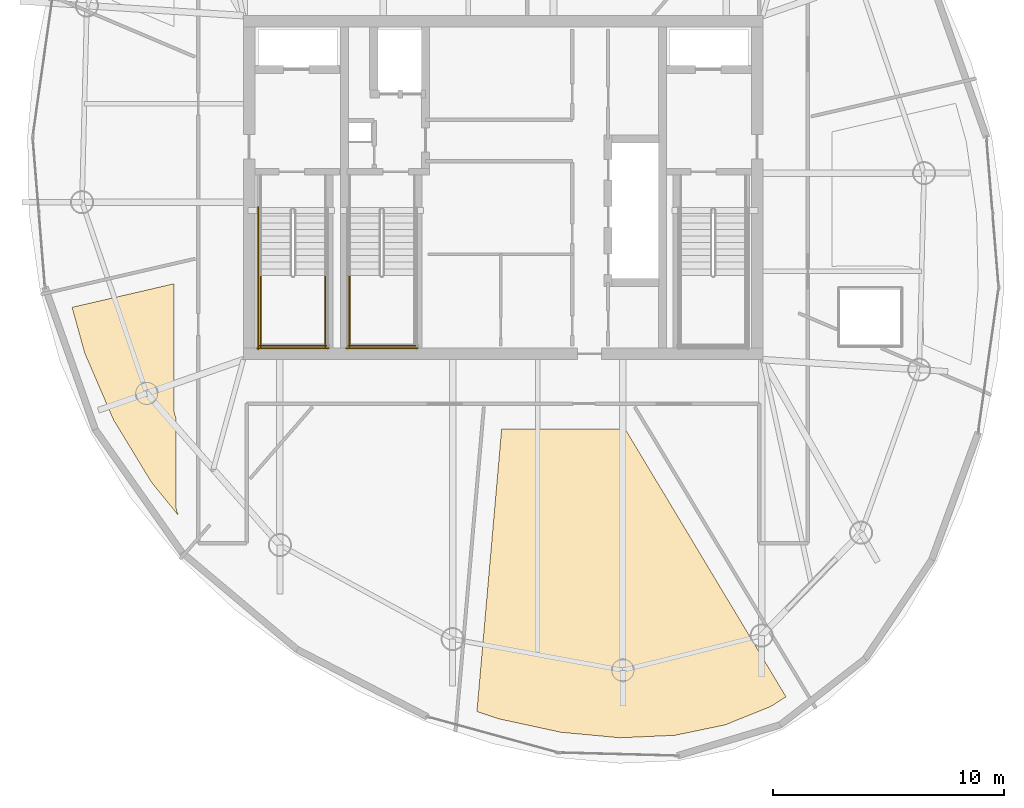
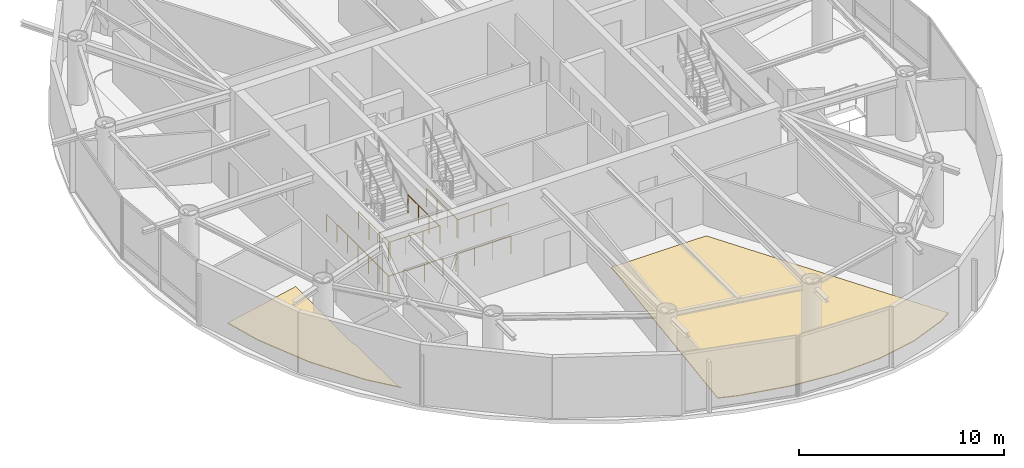
# One storey, part 18 of 20: 8 railings, 2 coverings.
"""IFC4 building model written with IfcOpenShell, lengths in metres."""

from ifc_helpers import new_model, si_unit, direction, frame, origin, origin_2d, place, context, subcontext, project, spatial, polyline, circle, outline, extrude, material, layer, layer_set, type_object, element, save


model = new_model("IFC4")

# Units and contexts
model_context = context("Model", 3, precision=1e-05, world=origin(), true_north=direction((0.0, 1.0)))
body_context = subcontext(model_context, "Body", "Model", "MODEL_VIEW")
ifc_project = project(units=[si_unit("LENGTHUNIT", "METRE"), si_unit("AREAUNIT", "SQUARE_METRE"), si_unit("VOLUMEUNIT", "CUBIC_METRE"), si_unit("PLANEANGLEUNIT", "RADIAN"), si_unit("MASSUNIT", "GRAM", prefix="KILO")], contexts=[model_context])

# Site, building, storey
site_placement = place(None, origin())
site = spatial("IfcSite", under=ifc_project, at=site_placement, CompositionType="ELEMENT")
building_placement = place(site_placement, origin())
building = spatial("IfcBuilding", under=site, at=building_placement, Name="Bramvorn Convention Spire", CompositionType="ELEMENT")
storey_placement = place(building_placement, frame((0.0, 0.0, 284.39990234375)))
storey = spatial("IfcBuildingStorey", under=building, at=storey_placement, Name="L72", CompositionType="ELEMENT", Elevation=284.39990234375)

# Coverings
ifc_material_1 = material(Name="Calcium-Sulphate Raised Access Office Floor", Category="steel")
ifc_layer = layer(ifc_material_1, 0.044921875)
ifc_layer_set = layer_set([ifc_layer], Name="Calcium-Sulphate Raised Access Office Floor - FLR-RAISED-45")
covering_type = type_object("IfcCoveringType", Name="FLR-RAISED-45", PredefinedType="FLOORING", material=ifc_layer_set)
covering_1_placement = place(storey_placement, origin())
element("IfcCovering", 1, at=covering_1_placement, inside=storey, type_object=covering_type, Name="L72 Studio Espresso Kitchen 6 raised floor finish", PredefinedType="FLOORING", context=body_context, shape_type="SweptSolid", body=[
    extrude(outline(polyline([(23.942138671875, 11.802490234375), (23.860107421875, 12.013671875), (23.8310546875, 12.2119140625), (23.830078125, 16.04248046875), (23.766357421875, 16.234130859375), (23.75, 16.39990234375), (23.75, 21.837890625), (19.3330078125, 20.818115234375), (19.885009765625, 18.831787109375), (21.130615234375, 15.942626953125), (22.763916015625, 13.253662109375), (23.942138671875, 11.802490234375)])), origin(), (0.0, 0.0, 1.0), 0.045166015625),
])
covering_2_placement = place(storey_placement, origin())
element("IfcCovering", 2, at=covering_2_placement, inside=storey, type_object=covering_type, Name="L72 Tenant Briefing Room 8 raised floor finish", PredefinedType="FLOORING", context=body_context, shape_type="SweptSolid", body=[
    extrude(outline(polyline([(43.0625, 2.174072265625), (45.439208984375, 2.2802734375), (47.6171875, 2.731689453125), (49.597412109375, 3.530029296875), (50.256103515625, 3.951904296875), (43.287353515625, 15.550048828125), (37.93896484375, 15.550048828125), (36.867919921875, 3.30859375), (37.816162109375, 2.993896484375), (40.5078125, 2.41259765625), (43.0625, 2.174072265625)])), origin(), (0.0, 0.0, 1.0), 0.045166015625),
])

# Railings
ifc_material_2 = material(Name="Painted Steel Balustrade & Guardrail", Category="steel")
railing_type = type_object("IfcRailingType", Name="RL-STAIR-GUARD-1100", PredefinedType="GUARDRAIL", material=ifc_material_2)
for number, where, name in (
    (3, (27.5, 22.199951171875, 1.925048828125), "L72 ST1 stair guard 3"),
    (4, (30.300048828125, 22.199951171875, 1.925048828125), "L72 ST1 stair guard 4"),
):
    element("IfcRailing", number, at=place(storey_placement, frame(where)), inside=storey, type_object=railing_type, Name=name, PredefinedType="GUARDRAIL", context=body_context, shape_type="SweptSolid", body=[
        extrude(circle(Radius=0.02392578125, at=origin_2d()), frame((0.0, 0.0, 1.076171875), z_axis=(0.0, -1.0, 0.0), x_axis=(1.0, 0.0, 0.0)), (0.0, 0.0, 1.0), 3.099853515625),
        extrude(circle(Radius=0.02099609375, at=origin_2d()), origin(), (0.0, 0.0, 1.0), 1.052001953125),
        extrude(circle(Radius=0.02099609375, at=origin_2d()), frame((0.0, -1.033203125, 0.0)), (0.0, 0.0, 1.0), 1.052001953125),
        extrude(circle(Radius=0.02099609375, at=origin_2d()), frame((0.0, -2.066650390625, 0.0)), (0.0, 0.0, 1.0), 1.052001953125),
        extrude(circle(Radius=0.02099609375, at=origin_2d()), frame((0.0, -3.099853515625, 0.0)), (0.0, 0.0, 1.0), 1.052001953125),
    ])
railing_1_placement = place(storey_placement, frame((27.449951171875, 19.14990234375, 1.925048828125)))
element("IfcRailing", 5, at=railing_1_placement, inside=storey, type_object=railing_type, Name="L72 ST1 stair guard 5", PredefinedType="GUARDRAIL", context=body_context, shape_type="SweptSolid", body=[
    extrude(circle(Radius=0.02392578125, at=origin_2d()), frame((0.0, 0.0, 1.076171875), z_axis=(1.0, 0.0, 0.0), x_axis=(0.0, 1.0, 0.0)), (0.0, 0.0, 1.0), 2.900146484375),
    extrude(circle(Radius=0.02099609375, at=origin_2d()), origin(), (0.0, 0.0, 1.0), 1.052001953125),
    extrude(circle(Radius=0.02099609375, at=origin_2d()), frame((0.966796875, 0.0, 0.0)), (0.0, 0.0, 1.0), 1.052001953125),
    extrude(circle(Radius=0.02099609375, at=origin_2d()), frame((1.933349609375, 0.0, 0.0)), (0.0, 0.0, 1.0), 1.052001953125),
    extrude(circle(Radius=0.02099609375, at=origin_2d()), frame((2.900146484375, 0.0, 0.0)), (0.0, 0.0, 1.0), 1.052001953125),
])
railing_2_placement = place(storey_placement, frame((27.39990234375, 25.14990234375, 0.0)))
element("IfcRailing", 6, at=railing_2_placement, inside=storey, type_object=railing_type, Name="L72 ST1 stair guard 10", PredefinedType="GUARDRAIL", context=body_context, shape_type="SweptSolid", body=[
    extrude(circle(Radius=0.02392578125, at=origin_2d()), frame((0.0, 0.0, 1.076171875), z_axis=(0.0, -1.0, 0.0), x_axis=(1.0, 0.0, 0.0)), (0.0, 0.0, 1.0), 6.14990234375),
    extrude(circle(Radius=0.02099609375, at=origin_2d()), origin(), (0.0, 0.0, 1.0), 1.052001953125),
    extrude(circle(Radius=0.02099609375, at=origin_2d()), frame((0.0, -1.02490234375, 0.0)), (0.0, 0.0, 1.0), 1.052001953125),
    extrude(circle(Radius=0.02099609375, at=origin_2d()), frame((0.0, -2.050048828125, 0.0)), (0.0, 0.0, 1.0), 1.052001953125),
    extrude(circle(Radius=0.02099609375, at=origin_2d()), frame((0.0, -3.074951171875, 0.0)), (0.0, 0.0, 1.0), 1.052001953125),
    extrude(circle(Radius=0.02099609375, at=origin_2d()), frame((0.0, -4.099853515625, 0.0)), (0.0, 0.0, 1.0), 1.052001953125),
    extrude(circle(Radius=0.02099609375, at=origin_2d()), frame((0.0, -5.125, 0.0)), (0.0, 0.0, 1.0), 1.052001953125),
    extrude(circle(Radius=0.02099609375, at=origin_2d()), frame((0.0, -6.14990234375, 0.0)), (0.0, 0.0, 1.0), 1.052001953125),
])
railing_3_placement = place(storey_placement, frame((27.35009765625, 19.050048828125, 0.0)))
element("IfcRailing", 7, at=railing_3_placement, inside=storey, type_object=railing_type, Name="L72 ST1 stair guard 12", PredefinedType="GUARDRAIL", context=body_context, shape_type="SweptSolid", body=[
    extrude(circle(Radius=0.02392578125, at=origin_2d()), frame((0.0, 0.0, 1.076171875), z_axis=(1.0, 0.0, 0.0), x_axis=(0.0, 1.0, 0.0)), (0.0, 0.0, 1.0), 3.099853515625),
    extrude(circle(Radius=0.02099609375, at=origin_2d()), origin(), (0.0, 0.0, 1.0), 1.052001953125),
    extrude(circle(Radius=0.02099609375, at=origin_2d()), frame((1.033203125, 0.0, 0.0)), (0.0, 0.0, 1.0), 1.052001953125),
    extrude(circle(Radius=0.02099609375, at=origin_2d()), frame((2.066650390625, 0.0, 0.0)), (0.0, 0.0, 1.0), 1.052001953125),
    extrude(circle(Radius=0.02099609375, at=origin_2d()), frame((3.099853515625, 0.0, 0.0)), (0.0, 0.0, 1.0), 1.052001953125),
])
railing_4_placement = place(storey_placement, frame((31.35009765625, 22.199951171875, 1.925048828125)))
element("IfcRailing", 8, at=railing_4_placement, inside=storey, type_object=railing_type, Name="L72 ST3 stair guard 3", PredefinedType="GUARDRAIL", context=body_context, shape_type="SweptSolid", body=[
    extrude(circle(Radius=0.02392578125, at=origin_2d()), frame((0.0, 0.0, 1.076171875), z_axis=(0.0, -1.0, 0.0), x_axis=(1.0, 0.0, 0.0)), (0.0, 0.0, 1.0), 3.099853515625),
    extrude(circle(Radius=0.02099609375, at=origin_2d()), origin(), (0.0, 0.0, 1.0), 1.052001953125),
    extrude(circle(Radius=0.02099609375, at=origin_2d()), frame((0.0, -1.033203125, 0.0)), (0.0, 0.0, 1.0), 1.052001953125),
    extrude(circle(Radius=0.02099609375, at=origin_2d()), frame((0.0, -2.066650390625, 0.0)), (0.0, 0.0, 1.0), 1.052001953125),
    extrude(circle(Radius=0.02099609375, at=origin_2d()), frame((0.0, -3.099853515625, 0.0)), (0.0, 0.0, 1.0), 1.052001953125),
])
railing_5_placement = place(storey_placement, frame((31.300048828125, 19.14990234375, 1.925048828125)))
element("IfcRailing", 9, at=railing_5_placement, inside=storey, type_object=railing_type, Name="L72 ST3 stair guard 5", PredefinedType="GUARDRAIL", context=body_context, shape_type="SweptSolid", body=[
    extrude(circle(Radius=0.02392578125, at=origin_2d()), frame((0.0, 0.0, 1.076171875), z_axis=(1.0, 0.0, 0.0), x_axis=(0.0, 1.0, 0.0)), (0.0, 0.0, 1.0), 2.89990234375),
    extrude(circle(Radius=0.02099609375, at=origin_2d()), origin(), (0.0, 0.0, 1.0), 1.052001953125),
    extrude(circle(Radius=0.02099609375, at=origin_2d()), frame((0.966552734375, 0.0, 0.0)), (0.0, 0.0, 1.0), 1.052001953125),
    extrude(circle(Radius=0.02099609375, at=origin_2d()), frame((1.933349609375, 0.0, 0.0)), (0.0, 0.0, 1.0), 1.052001953125),
    extrude(circle(Radius=0.02099609375, at=origin_2d()), frame((2.89990234375, 0.0, 0.0)), (0.0, 0.0, 1.0), 1.052001953125),
])
railing_6_placement = place(storey_placement, frame((31.199951171875, 19.050048828125, 0.0)))
element("IfcRailing", 10, at=railing_6_placement, inside=storey, type_object=railing_type, Name="L72 ST3 stair guard 12", PredefinedType="GUARDRAIL", context=body_context, shape_type="SweptSolid", body=[
    extrude(circle(Radius=0.02392578125, at=origin_2d()), frame((0.0, 0.0, 1.076171875), z_axis=(1.0, 0.0, 0.0), x_axis=(0.0, 1.0, 0.0)), (0.0, 0.0, 1.0), 3.10009765625),
    extrude(circle(Radius=0.02099609375, at=origin_2d()), origin(), (0.0, 0.0, 1.0), 1.052001953125),
    extrude(circle(Radius=0.02099609375, at=origin_2d()), frame((1.033447265625, 0.0, 0.0)), (0.0, 0.0, 1.0), 1.052001953125),
    extrude(circle(Radius=0.02099609375, at=origin_2d()), frame((2.066650390625, 0.0, 0.0)), (0.0, 0.0, 1.0), 1.052001953125),
    extrude(circle(Radius=0.02099609375, at=origin_2d()), frame((3.10009765625, 0.0, 0.0)), (0.0, 0.0, 1.0), 1.052001953125),
])

save(model, "model.ifc")
